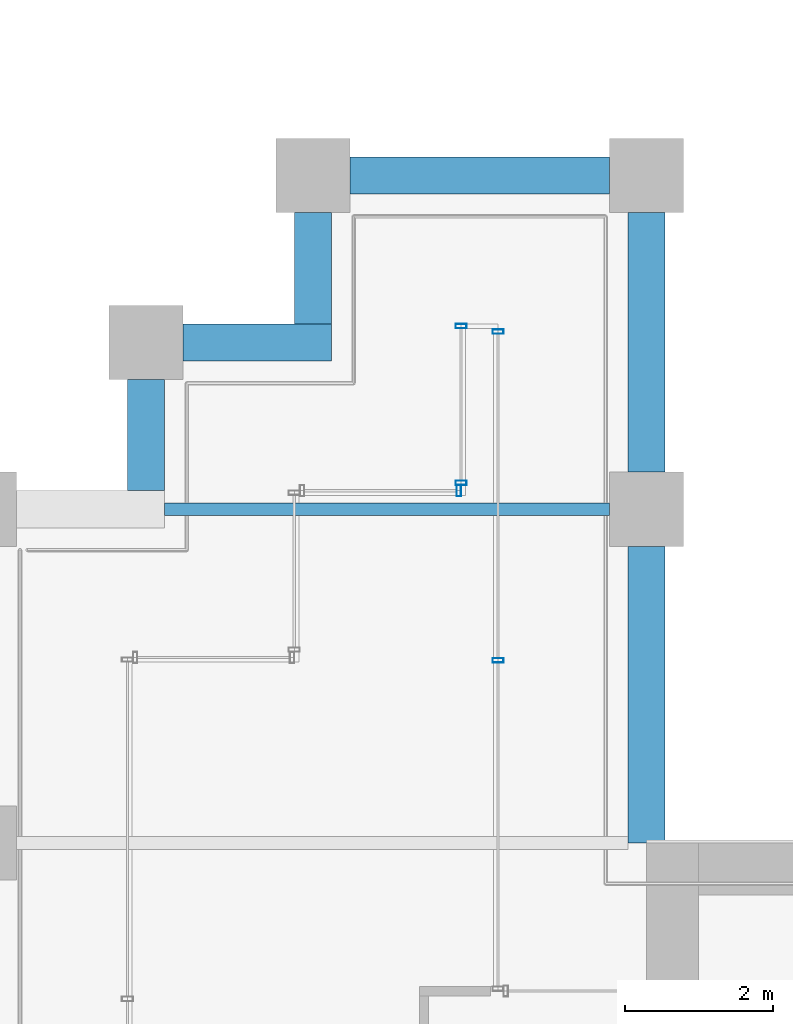
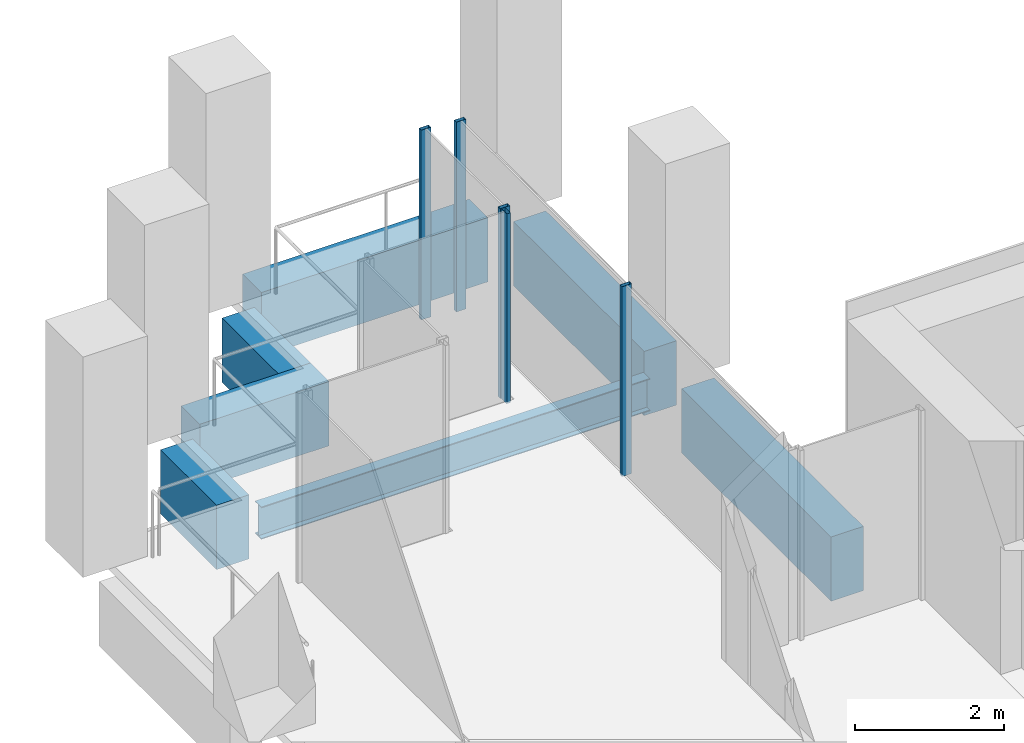
# One storey, part 35 of 46: 7 beams, 5 members, 3 elements without a shape of their own.
"""IFC4 building model written with IfcOpenShell, lengths in metres."""

from ifc_helpers import new_model, si_unit, direction, frame, origin, origin_2d, place, context, subcontext, project, spatial, rectangle, hollow_rectangle, i_section, extrude, material, material_profile, profile_set, type_object, element, aggregate, save


model = new_model("IFC4")

# Units and contexts
model_context = context("Model", 3, precision=1e-05, world=origin(), true_north=direction((0.0, 1.0)))
body_context = subcontext(model_context, "Body", "Model", "MODEL_VIEW")
ifc_project = project(units=[si_unit("LENGTHUNIT", "METRE"), si_unit("AREAUNIT", "SQUARE_METRE"), si_unit("VOLUMEUNIT", "CUBIC_METRE"), si_unit("PLANEANGLEUNIT", "RADIAN"), si_unit("MASSUNIT", "GRAM", prefix="KILO")], contexts=[model_context])

# Site, building, storey
site_placement = place(None, origin())
site = spatial("IfcSite", under=ifc_project, at=site_placement, CompositionType="ELEMENT")
building_placement = place(site_placement, origin())
building = spatial("IfcBuilding", under=site, at=building_placement, Name="Altepetl Exchange Towers", CompositionType="ELEMENT")
storey_placement = place(building_placement, frame((0.0, 0.0, 135.199951171875)))
storey = spatial("IfcBuildingStorey", under=building, at=storey_placement, Name="L33", CompositionType="ELEMENT", Elevation=135.199951171875)

# Beam
ifc_material_1 = material(Name="Steel S355", Category="steel")
ifc_material_profile_1 = material_profile(ifc_material_1, i_section(OverallWidth=0.166015625, OverallDepth=0.529052734375, WebThickness=0.009765625, FlangeThickness=0.013671875, at=origin_2d()), Name="W21X50")
ifc_profile_set_1 = profile_set([ifc_material_profile_1], Name="Steel S355")
beam_type_1 = type_object("IfcBeamType", Name="Floor beam W21X50", PredefinedType="BEAM", material=ifc_profile_set_1)
beam_1_placement = place(storey_placement, frame((97.0, 54.0, -0.41455078125), z_axis=(1.0, 0.0, 0.0), x_axis=(0.0, 1.0, 0.0)))
element("IfcBeam", 1, at=beam_1_placement, inside=storey, type_object=beam_type_1, Name="bm:B:L33:011", PredefinedType="BEAM", context=body_context, shape_type="SweptSolid", body=[
    extrude(i_section(OverallWidth=0.166015625, OverallDepth=0.529052734375, WebThickness=0.009765625, FlangeThickness=0.013671875, at=origin_2d()), origin(), (0.0, 0.0, 1.0), 6.0),
])

# Curtain wall, members
ifc_material_2 = material(Name="Aluminium 6063-T6 glazing", Category="aluminium")
curtain_wall_type = type_object("IfcCurtainWallType", Name="Loggia glazing system", PredefinedType="NOTDEFINED", material=ifc_material_2)
curtain_wall_1_placement = place(storey_placement, origin())
curtain_wall_1 = element("IfcCurtainWall", 2, at=curtain_wall_1_placement, inside=storey, type_object=curtain_wall_type, Name="CW1 run", PredefinedType="NOTDEFINED")
ifc_material_3 = material(Name="Aluminium 6063-T6", Category="aluminium")
ifc_material_profile_2 = material_profile(ifc_material_3, hollow_rectangle(XDim=0.06005859375, YDim=0.14990234375, WallThickness=0.0029296875, at=origin_2d()), Name="Mullion 60x150 aluminium")
ifc_profile_set_2 = profile_set([ifc_material_profile_2], Name="Aluminium 6063-T6")
member_type = type_object("IfcMemberType", Name="Mullion 60x150 aluminium", PredefinedType="MULLION", material=ifc_profile_set_2)
member_1_placement = place(storey_placement, frame((101.5, 51.96240234375, 0.0), z_axis=(0.0, 0.0, 1.0), x_axis=(0.0, 1.0, 0.0)))
member_1 = element("IfcMember", 3, at=member_1_placement, type_object=member_type, Name="MU1 mullion", PredefinedType="MULLION", context=body_context, shape_type="SweptSolid", body=[
    extrude(hollow_rectangle(XDim=0.06005859375, YDim=0.14990234375, WallThickness=0.0029296875, at=origin_2d()), origin(), (0.0, 0.0, 1.0), 3.10009765625),
])
member_2_placement = place(storey_placement, frame((101.5, 56.39501953125, 0.0), z_axis=(0.0, 0.0, 1.0), x_axis=(0.0, 1.0, 0.0)))
member_2 = element("IfcMember", 4, at=member_2_placement, type_object=member_type, Name="MU1 mullion", PredefinedType="MULLION", context=body_context, shape_type="SweptSolid", body=[
    extrude(hollow_rectangle(XDim=0.06005859375, YDim=0.14990234375, WallThickness=0.0029296875, at=origin_2d()), origin(), (0.0, 0.0, 1.0), 3.10009765625),
])
aggregate(curtain_wall_1, [member_1, member_2])

curtain_wall_2_placement = place(storey_placement, origin())
curtain_wall_2 = element("IfcCurtainWall", 5, at=curtain_wall_2_placement, inside=storey, type_object=curtain_wall_type, Name="CW1 run", PredefinedType="NOTDEFINED")
member_3_placement = place(storey_placement, frame((101.0, 56.469970703125, 0.0), z_axis=(0.0, 0.0, 1.0), x_axis=(0.0, -1.0, 0.0)))
member_3 = element("IfcMember", 6, at=member_3_placement, type_object=member_type, Name="MU1 mullion", PredefinedType="MULLION", context=body_context, shape_type="SweptSolid", body=[
    extrude(hollow_rectangle(XDim=0.06005859375, YDim=0.14990234375, WallThickness=0.0029296875, at=origin_2d()), origin(), (0.0, 0.0, 1.0), 3.10009765625),
])
member_4_placement = place(storey_placement, frame((101.0, 54.35498046875, 0.0), z_axis=(0.0, 0.0, 1.0), x_axis=(0.0, -1.0, 0.0)))
member_4 = element("IfcMember", 7, at=member_4_placement, type_object=member_type, Name="MU1 mullion", PredefinedType="MULLION", context=body_context, shape_type="SweptSolid", body=[
    extrude(hollow_rectangle(XDim=0.06005859375, YDim=0.14990234375, WallThickness=0.0029296875, at=origin_2d()), origin(), (0.0, 0.0, 1.0), 3.10009765625),
])
aggregate(curtain_wall_2, [member_3, member_4])

# Curtain wall, member
curtain_wall_3_placement = place(storey_placement, origin())
curtain_wall_3 = element("IfcCurtainWall", 8, at=curtain_wall_3_placement, inside=storey, type_object=curtain_wall_type, Name="CW1 run", PredefinedType="NOTDEFINED")
member_5_placement = place(storey_placement, frame((100.969970703125, 54.25, 0.0), z_axis=(0.0, 0.0, 1.0), x_axis=(-1.0, 0.0, 0.0)))
member_5 = element("IfcMember", 9, at=member_5_placement, type_object=member_type, Name="MU1 mullion", PredefinedType="MULLION", context=body_context, shape_type="SweptSolid", body=[
    extrude(hollow_rectangle(XDim=0.06005859375, YDim=0.14990234375, WallThickness=0.0029296875, at=origin_2d()), origin(), (0.0, 0.0, 1.0), 3.10009765625),
])
aggregate(curtain_wall_3, [member_5])

# Beams
ifc_material_4 = material(Name="Concrete C50/60 precast with cantera rosa facing", Category="concrete")
ifc_material_profile_3 = material_profile(ifc_material_4, rectangle(XDim=0.5, YDim=1.050048828125, at=origin_2d()), Name="500 x 1050")
ifc_profile_set_3 = profile_set([ifc_material_profile_3], Name="Concrete C50/60 precast with cantera rosa facing")
beam_type_2 = type_object("IfcBeamType", Name="Spandrel beam 500x1050 cantera rosa", PredefinedType="SPANDREL", material=ifc_profile_set_3)
beam_2_placement = place(storey_placement, frame((103.5, 49.5, -0.675048828125), z_axis=(0.0, 1.0, 0.0), x_axis=(-1.0, 0.0, 0.0)))
element("IfcBeam", 10, at=beam_2_placement, inside=storey, type_object=beam_type_2, Name="sp:B:L33:015", PredefinedType="SPANDREL", context=body_context, shape_type="SweptSolid", body=[
    extrude(rectangle(XDim=0.5, YDim=1.050048828125, at=origin_2d()), origin(), (0.0, 0.0, 1.0), 4.0),
])
for number, where, z_axis, x_axis, name in (
    (11, (103.5, 54.5, -0.675048828125), (0.0, 1.0, 0.0), (-1.0, 0.0, 0.0), "sp:B:L33:016"),
    (12, (103.0, 58.5, -0.675048828125), (-1.0, 0.0, 0.0), (0.0, -1.0, 0.0), "sp:B:L33:017"),
):
    element("IfcBeam", number, at=place(storey_placement, frame(where, z_axis=z_axis, x_axis=x_axis)), inside=storey, type_object=beam_type_2, Name=name, PredefinedType="SPANDREL", context=body_context, shape_type="SweptSolid", body=[
        extrude(rectangle(XDim=0.5, YDim=1.050048828125, at=origin_2d()), origin(), (0.0, 0.0, 1.0), 3.5),
    ])
beam_3_placement = place(storey_placement, frame((99.0, 58.0, -0.675048828125), z_axis=(0.0, -1.0, 0.0), x_axis=(1.0, 0.0, 0.0)))
element("IfcBeam", 13, at=beam_3_placement, inside=storey, type_object=beam_type_2, Name="sp:B:L33:018", PredefinedType="SPANDREL", context=body_context, shape_type="SweptSolid", body=[
    extrude(rectangle(XDim=0.5, YDim=1.050048828125, at=origin_2d()), origin(), (0.0, 0.0, 1.0), 1.5),
])
beam_4_placement = place(storey_placement, frame((99.25, 56.25, -0.675048828125), z_axis=(-1.0, 0.0, 0.0), x_axis=(0.0, -1.0, 0.0)))
element("IfcBeam", 14, at=beam_4_placement, inside=storey, type_object=beam_type_2, Name="sp:B:L33:019", PredefinedType="SPANDREL", context=body_context, shape_type="SweptSolid", body=[
    extrude(rectangle(XDim=0.5, YDim=1.050048828125, at=origin_2d()), origin(), (0.0, 0.0, 1.0), 2.0),
])
beam_5_placement = place(storey_placement, frame((96.75, 55.75, -0.675048828125), z_axis=(0.0, -1.0, 0.0), x_axis=(1.0, 0.0, 0.0)))
element("IfcBeam", 15, at=beam_5_placement, inside=storey, type_object=beam_type_2, Name="sp:B:L33:020", PredefinedType="SPANDREL", context=body_context, shape_type="SweptSolid", body=[
    extrude(rectangle(XDim=0.5, YDim=1.050048828125, at=origin_2d()), origin(), (0.0, 0.0, 1.0), 1.5),
])

save(model, "model.ifc")
